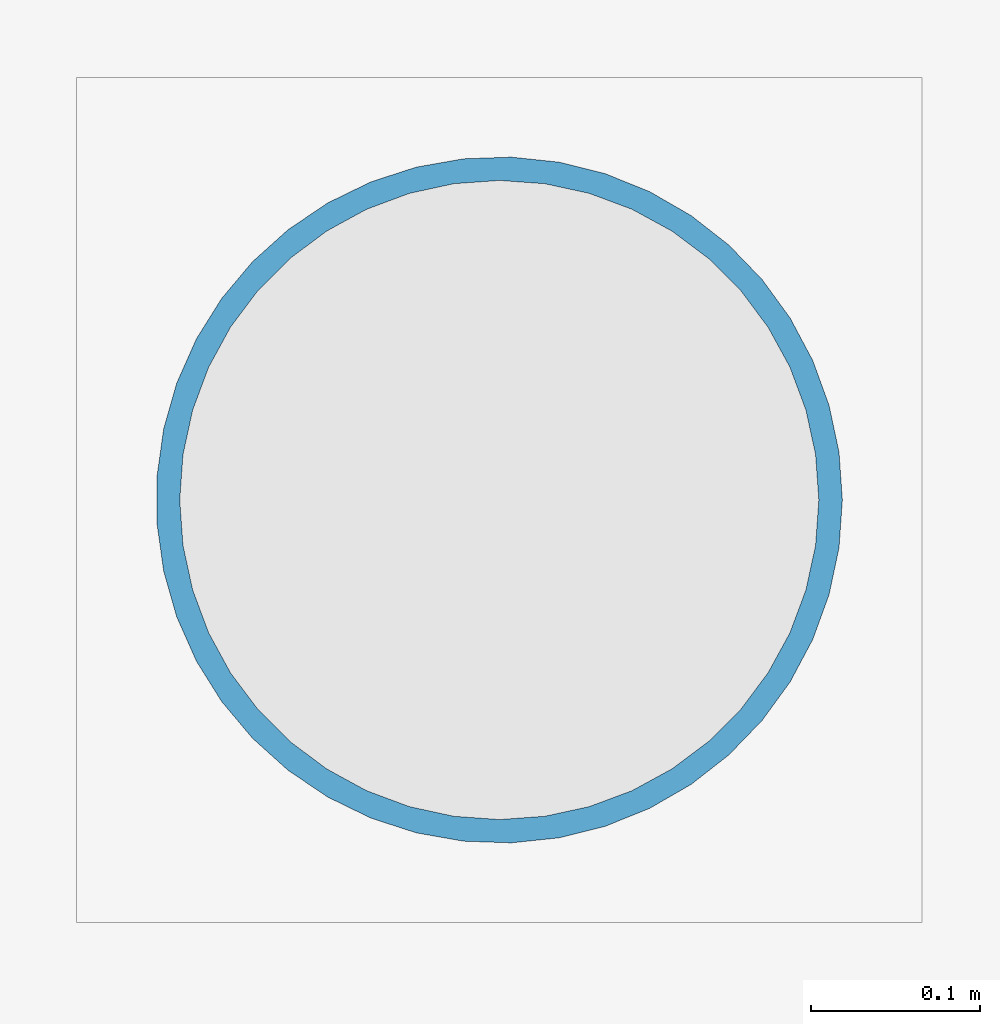
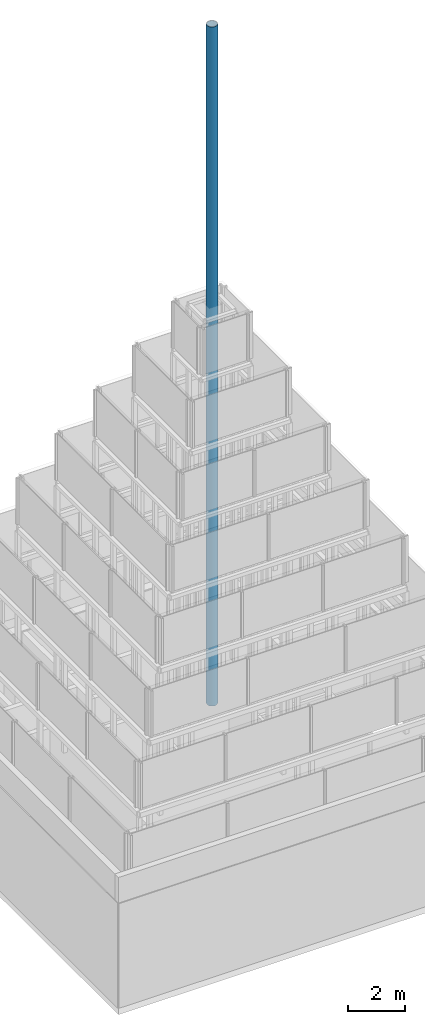
# One storey, part 12 of 24: 1 member.
"""IFC4 building model written with IfcOpenShell, lengths in metres."""

from ifc_helpers import new_model, si_unit, direction, frame, origin, origin_2d, place, context, subcontext, project, spatial, hollow_circle, extrude, material, material_profile, profile_set, type_object, element, save


model = new_model("IFC4")

# Units and contexts
model_context = context("Model", 3, precision=1e-05, world=origin(), true_north=direction((0.0, 1.0)))
body_context = subcontext(model_context, "Body", "Model", "MODEL_VIEW")
ifc_project = project(units=[si_unit("LENGTHUNIT", "METRE"), si_unit("AREAUNIT", "SQUARE_METRE"), si_unit("VOLUMEUNIT", "CUBIC_METRE"), si_unit("PLANEANGLEUNIT", "RADIAN"), si_unit("MASSUNIT", "GRAM", prefix="KILO")], contexts=[model_context])

# Site, building, storey
site_placement = place(None, origin())
site = spatial("IfcSite", under=ifc_project, at=site_placement, CompositionType="ELEMENT")
building_placement = place(site_placement, origin())
building = spatial("IfcBuilding", under=site, at=building_placement, Name="Altepetl Exchange Towers", CompositionType="ELEMENT")
storey_placement = place(building_placement, frame((0.0, 0.0, 279.10009765625)))
storey = spatial("IfcBuildingStorey", under=building, at=storey_placement, Name="L70 Crown plant", CompositionType="ELEMENT", Elevation=279.10009765625)

# Member
ifc_material = material(Name="Steel S355", Category="steel")
ifc_material_profile = material_profile(ifc_material, hollow_circle(Radius=0.202880859375, WallThickness=0.013916015625, at=origin_2d()), Name="Mast tube 406x14 steel")
ifc_profile_set = profile_set([ifc_material_profile], Name="Steel S355")
member_type = type_object("IfcMemberType", Name="Mast tube 406x14 steel", PredefinedType="POST", material=ifc_profile_set)
member_placement = place(storey_placement, frame((49.5, 49.5, 4.5)))
element("IfcMember", 1, at=member_placement, inside=storey, type_object=member_type, Name="SPIRE mast", PredefinedType="POST", context=body_context, shape_type="SweptSolid", body=[
    extrude(hollow_circle(Radius=0.202880859375, WallThickness=0.013916015625, at=origin_2d()), origin(), (0.0, 0.0, 1.0), 29.199951171875),
])

save(model, "model.ifc")
